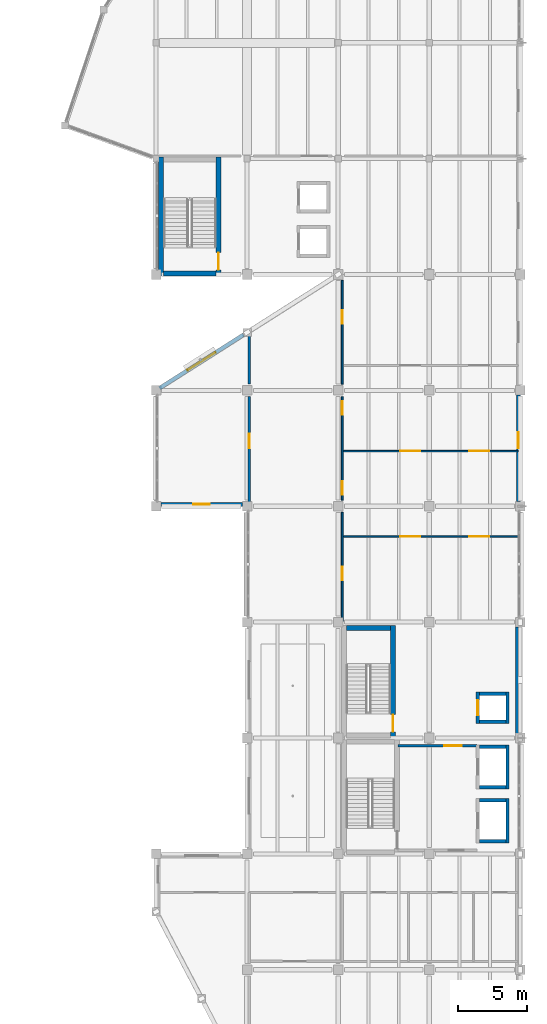
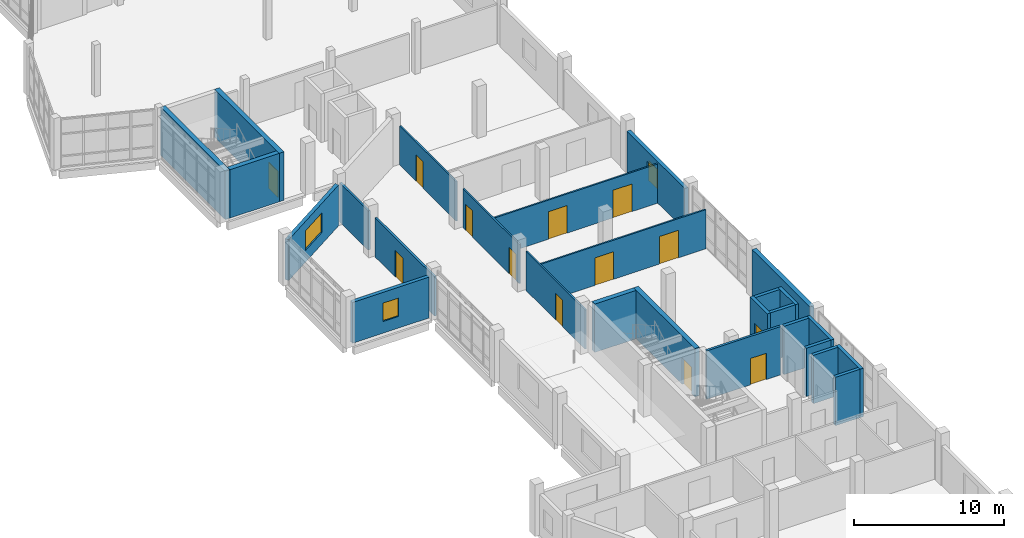
# One storey, part 53 of 74: 27 walls, 13 doors, 3 windows, 16 openings.
"""IFC4 building model written with IfcOpenShell, lengths in metres."""

from ifc_helpers import new_model, si_unit, direction, frame, frame_2d, origin, place, context, subcontext, project, spatial, rectangle, extrude, material, layer, layer_set, type_object, element, fill, save


model = new_model("IFC4")

# Units and contexts
model_context = context("Model", 3, precision=1e-05, world=origin(), true_north=direction((0.0, 1.0)))
body_context = subcontext(model_context, "Body", "Model", "MODEL_VIEW")
ifc_project = project(units=[si_unit("LENGTHUNIT", "METRE"), si_unit("AREAUNIT", "SQUARE_METRE"), si_unit("VOLUMEUNIT", "CUBIC_METRE"), si_unit("PLANEANGLEUNIT", "RADIAN"), si_unit("MASSUNIT", "GRAM", prefix="KILO")], contexts=[model_context])

# Site, building, storey
site_placement = place(None, origin())
site = spatial("IfcSite", under=ifc_project, at=site_placement, CompositionType="ELEMENT")
building_placement = place(site_placement, origin())
building = spatial("IfcBuilding", under=site, at=building_placement, Name="Qaldarim Faculty of Natural and Applied Sciences", CompositionType="ELEMENT")
storey_placement = place(building_placement, frame((0.0, 0.0, 14.39990234375)))
storey = spatial("IfcBuildingStorey", under=building, at=storey_placement, Name="L03", CompositionType="ELEMENT", Elevation=14.39990234375)

# Wall, opening, door
ifc_material_1 = material(Name="Painted gypsum partition board")
ifc_layer_1 = layer(ifc_material_1, 0.1201171875)
ifc_layer_set_1 = layer_set([ifc_layer_1], Name="Painted gypsum partition board")
wall_type_1 = type_object("IfcWallType", Name="AcousticPartition-120", PredefinedType="PARTITIONING", material=ifc_layer_set_1)
wall_1_placement = place(storey_placement, frame((165.300048828125, 33.64990234375, 0.0), z_axis=(0.0, 0.0, 1.0), x_axis=(0.0, 1.0, 0.0)))
wall_1 = element("IfcWall", 1, at=wall_1_placement, inside=storey, type_object=wall_type_1, Name="Interior partition PRT-L03-V5-OFFW-S1", PredefinedType="PARTITIONING", context=body_context, shape_type="SweptSolid", body=[
    extrude(rectangle(XDim=7.900146484375, YDim=0.1201171875, at=frame_2d((3.9501953125, 0.0))), origin(), (0.0, 0.0, 1.0), 3.190185546875),
])
opening_1_placement = place(wall_1_placement, frame((3.0, 0.0, 0.0)))
opening_1 = element("IfcOpeningElement", 2, at=opening_1_placement, cuts=wall_1, Name="Opening ID01", PredefinedType="OPENING", context=body_context, shape_type="SweptSolid", body=[
    extrude(rectangle(XDim=0.949951171875, YDim=2.14990234375, at=frame_2d((0.47509765625, 1.074951171875))), frame((0.0, 0.070068359375, 0.0), z_axis=(0.0, -1.0, 0.0), x_axis=(1.0, 0.0, 0.0)), (0.0, 0.0, 1.0), 0.14013671875),
])
ifc_material_2 = material(Name="Oak hardwood", Category="wood")
door_type_1 = type_object("IfcDoorType", Name="SingleRoomDoor-950x2150", OperationType="NOTDEFINED", PredefinedType="DOOR", material=ifc_material_2)
door_1_placement = place(opening_1_placement, origin())
door_1 = element("IfcDoor", 3, at=door_1_placement, inside=storey, type_object=door_type_1, Name="Interior door D-L03-239", OperationType="SINGLE_SWING_LEFT", OverallHeight=2.14990234375, OverallWidth=0.949951171875, PredefinedType="DOOR", context=body_context, shape_type="SweptSolid", body=[
    extrude(rectangle(XDim=0.949951171875, YDim=2.14990234375, at=frame_2d((0.47509765625, 1.074951171875))), frame((0.0, 0.02490234375, 0.0), z_axis=(0.0, -1.0, 0.0), x_axis=(1.0, 0.0, 0.0)), (0.0, 0.0, 1.0), 0.050048828125),
])
fill(opening_1, door_1)

# Wall, openings, doors
wall_2_placement = place(storey_placement, frame((165.300048828125, 42.449951171875, 0.0), z_axis=(0.0, 0.0, 1.0), x_axis=(0.0, 1.0, 0.0)))
wall_2 = element("IfcWall", 4, at=wall_2_placement, inside=storey, type_object=wall_type_1, Name="Interior partition PRT-L03-V5-OFFW-S2", PredefinedType="PARTITIONING", context=body_context, shape_type="SweptSolid", body=[
    extrude(rectangle(XDim=7.5, YDim=0.1201171875, at=frame_2d((3.75, 0.0))), origin(), (0.0, 0.0, 1.0), 3.190185546875),
])
opening_2_placement = place(wall_2_placement, frame((0.39990234375, 0.0, 0.0)))
opening_2 = element("IfcOpeningElement", 5, at=opening_2_placement, cuts=wall_2, Name="Opening ID01", PredefinedType="OPENING", context=body_context, shape_type="SweptSolid", body=[
    extrude(rectangle(XDim=0.949951171875, YDim=2.14990234375, at=frame_2d((0.47509765625, 1.074951171875))), frame((0.0, 0.070068359375, 0.0), z_axis=(0.0, -1.0, 0.0), x_axis=(1.0, 0.0, 0.0)), (0.0, 0.0, 1.0), 0.14013671875),
])
opening_3_placement = place(wall_2_placement, frame((6.199951171875, 0.0, 0.0)))
opening_3 = element("IfcOpeningElement", 6, at=opening_3_placement, cuts=wall_2, Name="Opening ID01", PredefinedType="OPENING", context=body_context, shape_type="SweptSolid", body=[
    extrude(rectangle(XDim=0.949951171875, YDim=2.14990234375, at=frame_2d((0.47509765625, 1.074951171875))), frame((0.0, 0.070068359375, 0.0), z_axis=(0.0, -1.0, 0.0), x_axis=(1.0, 0.0, 0.0)), (0.0, 0.0, 1.0), 0.14013671875),
])
door_2_placement = place(opening_2_placement, origin())
door_2 = element("IfcDoor", 7, at=door_2_placement, inside=storey, type_object=door_type_1, Name="Interior door D-L03-240", OperationType="SINGLE_SWING_RIGHT", OverallHeight=2.14990234375, OverallWidth=0.949951171875, PredefinedType="DOOR", context=body_context, shape_type="SweptSolid", body=[
    extrude(rectangle(XDim=0.949951171875, YDim=2.14990234375, at=frame_2d((0.47509765625, 1.074951171875))), frame((0.0, 0.02490234375, 0.0), z_axis=(0.0, -1.0, 0.0), x_axis=(1.0, 0.0, 0.0)), (0.0, 0.0, 1.0), 0.050048828125),
])
fill(opening_2, door_2)
door_3_placement = place(opening_3_placement, origin())
door_3 = element("IfcDoor", 8, at=door_3_placement, inside=storey, type_object=door_type_1, Name="Interior door D-L03-241", OperationType="SINGLE_SWING_LEFT", OverallHeight=2.14990234375, OverallWidth=0.949951171875, PredefinedType="DOOR", context=body_context, shape_type="SweptSolid", body=[
    extrude(rectangle(XDim=0.949951171875, YDim=2.14990234375, at=frame_2d((0.47509765625, 1.074951171875))), frame((0.0, 0.02490234375, 0.0), z_axis=(0.0, -1.0, 0.0), x_axis=(1.0, 0.0, 0.0)), (0.0, 0.0, 1.0), 0.050048828125),
])
fill(opening_3, door_3)

# Wall, opening, door
wall_3_placement = place(storey_placement, frame((165.300048828125, 50.85009765625, 0.0), z_axis=(0.0, 0.0, 1.0), x_axis=(0.0, 1.0, 0.0)))
wall_3 = element("IfcWall", 9, at=wall_3_placement, inside=storey, type_object=wall_type_1, Name="Interior partition PRT-L03-V5-OFFW-S3", PredefinedType="PARTITIONING", context=body_context, shape_type="SweptSolid", body=[
    extrude(rectangle(XDim=7.52978515625, YDim=0.1201171875, at=frame_2d((3.764892578125, 0.0))), origin(), (0.0, 0.0, 1.0), 3.190185546875),
])
opening_4_placement = place(wall_3_placement, frame((4.39990234375, 0.0, 0.0)))
opening_4 = element("IfcOpeningElement", 10, at=opening_4_placement, cuts=wall_3, Name="Opening ID01", PredefinedType="OPENING", context=body_context, shape_type="SweptSolid", body=[
    extrude(rectangle(XDim=0.949951171875, YDim=2.14990234375, at=frame_2d((0.47509765625, 1.074951171875))), frame((0.0, 0.070068359375, 0.0), z_axis=(0.0, -1.0, 0.0), x_axis=(1.0, 0.0, 0.0)), (0.0, 0.0, 1.0), 0.14013671875),
])
door_4_placement = place(opening_4_placement, origin())
door_4 = element("IfcDoor", 11, at=door_4_placement, inside=storey, type_object=door_type_1, Name="Interior door D-L03-242", OperationType="SINGLE_SWING_RIGHT", OverallHeight=2.14990234375, OverallWidth=0.949951171875, PredefinedType="DOOR", context=body_context, shape_type="SweptSolid", body=[
    extrude(rectangle(XDim=0.949951171875, YDim=2.14990234375, at=frame_2d((0.47509765625, 1.074951171875))), frame((0.0, 0.02490234375, 0.0), z_axis=(0.0, -1.0, 0.0), x_axis=(1.0, 0.0, 0.0)), (0.0, 0.0, 1.0), 0.050048828125),
])
fill(opening_4, door_4)

# Wall, openings, doors
wall_4_placement = place(storey_placement, frame((165.300048828125, 39.800048828125, 0.0), z_axis=(0.0, 0.0, 1.0), x_axis=(1.0, 0.0, 0.0)))
wall_4 = element("IfcWall", 12, at=wall_4_placement, inside=storey, type_object=wall_type_1, Name="Interior partition PRT-L03-V5-SUB-1", PredefinedType="PARTITIONING", context=body_context, shape_type="SweptSolid", body=[
    extrude(rectangle(XDim=12.75, YDim=0.1201171875, at=frame_2d((6.375, 0.0))), origin(), (0.0, 0.0, 1.0), 3.190185546875),
])
opening_5_placement = place(wall_4_placement, frame((4.199951171875, 0.0, 0.0)))
opening_5 = element("IfcOpeningElement", 13, at=opening_5_placement, cuts=wall_4, Name="Opening ID11", PredefinedType="OPENING", context=body_context, shape_type="SweptSolid", body=[
    extrude(rectangle(XDim=1.449951171875, YDim=2.25, at=frame_2d((0.72509765625, 1.125))), frame((0.0, 0.070068359375, 0.0), z_axis=(0.0, -1.0, 0.0), x_axis=(1.0, 0.0, 0.0)), (0.0, 0.0, 1.0), 0.14013671875),
])
opening_6_placement = place(wall_4_placement, frame((9.199951171875, 0.0, 0.0)))
opening_6 = element("IfcOpeningElement", 14, at=opening_6_placement, cuts=wall_4, Name="Opening ID11", PredefinedType="OPENING", context=body_context, shape_type="SweptSolid", body=[
    extrude(rectangle(XDim=1.449951171875, YDim=2.25, at=frame_2d((0.72509765625, 1.125))), frame((0.0, 0.070068359375, 0.0), z_axis=(0.0, -1.0, 0.0), x_axis=(1.0, 0.0, 0.0)), (0.0, 0.0, 1.0), 0.14013671875),
])
ifc_material_3 = material(Name="Architectural stainless steel 316", Category="steel")
door_type_2 = type_object("IfcDoorType", Name="InstrumentSuiteDoor-1450x2250", OperationType="NOTDEFINED", PredefinedType="DOOR", material=ifc_material_3)
door_5_placement = place(opening_5_placement, origin())
door_5 = element("IfcDoor", 15, at=door_5_placement, inside=storey, type_object=door_type_2, Name="Interior door D-L03-329", OperationType="SINGLE_SWING_LEFT", OverallHeight=2.25, OverallWidth=1.449951171875, PredefinedType="DOOR", context=body_context, shape_type="SweptSolid", body=[
    extrude(rectangle(XDim=1.449951171875, YDim=2.25, at=frame_2d((0.72509765625, 1.125))), frame((0.0, 0.02490234375, 0.0), z_axis=(0.0, -1.0, 0.0), x_axis=(1.0, 0.0, 0.0)), (0.0, 0.0, 1.0), 0.050048828125),
])
fill(opening_5, door_5)
door_6_placement = place(opening_6_placement, origin())
door_6 = element("IfcDoor", 16, at=door_6_placement, inside=storey, type_object=door_type_2, Name="Interior door D-L03-330", OperationType="SINGLE_SWING_RIGHT", OverallHeight=2.25, OverallWidth=1.449951171875, PredefinedType="DOOR", context=body_context, shape_type="SweptSolid", body=[
    extrude(rectangle(XDim=1.449951171875, YDim=2.25, at=frame_2d((0.72509765625, 1.125))), frame((0.0, 0.02490234375, 0.0), z_axis=(0.0, -1.0, 0.0), x_axis=(1.0, 0.0, 0.0)), (0.0, 0.0, 1.0), 0.050048828125),
])
fill(opening_6, door_6)

wall_5_placement = place(storey_placement, frame((165.300048828125, 46.0, 0.0), z_axis=(0.0, 0.0, 1.0), x_axis=(1.0, 0.0, 0.0)))
wall_5 = element("IfcWall", 17, at=wall_5_placement, inside=storey, type_object=wall_type_1, Name="Interior partition PRT-L03-V5-SUB-2", PredefinedType="PARTITIONING", context=body_context, shape_type="SweptSolid", body=[
    extrude(rectangle(XDim=12.75, YDim=0.1201171875, at=frame_2d((6.375, 0.0))), origin(), (0.0, 0.0, 1.0), 3.190185546875),
])
opening_7_placement = place(wall_5_placement, frame((4.199951171875, 0.0, 0.0)))
opening_7 = element("IfcOpeningElement", 18, at=opening_7_placement, cuts=wall_5, Name="Opening ID11", PredefinedType="OPENING", context=body_context, shape_type="SweptSolid", body=[
    extrude(rectangle(XDim=1.449951171875, YDim=2.25, at=frame_2d((0.72509765625, 1.125))), frame((0.0, 0.070068359375, 0.0), z_axis=(0.0, -1.0, 0.0), x_axis=(1.0, 0.0, 0.0)), (0.0, 0.0, 1.0), 0.14013671875),
])
opening_8_placement = place(wall_5_placement, frame((9.199951171875, 0.0, 0.0)))
opening_8 = element("IfcOpeningElement", 19, at=opening_8_placement, cuts=wall_5, Name="Opening ID11", PredefinedType="OPENING", context=body_context, shape_type="SweptSolid", body=[
    extrude(rectangle(XDim=1.449951171875, YDim=2.25, at=frame_2d((0.72509765625, 1.125))), frame((0.0, 0.070068359375, 0.0), z_axis=(0.0, -1.0, 0.0), x_axis=(1.0, 0.0, 0.0)), (0.0, 0.0, 1.0), 0.14013671875),
])
door_7_placement = place(opening_7_placement, origin())
door_7 = element("IfcDoor", 20, at=door_7_placement, inside=storey, type_object=door_type_2, Name="Interior door D-L03-331", OperationType="SINGLE_SWING_LEFT", OverallHeight=2.25, OverallWidth=1.449951171875, PredefinedType="DOOR", context=body_context, shape_type="SweptSolid", body=[
    extrude(rectangle(XDim=1.449951171875, YDim=2.25, at=frame_2d((0.72509765625, 1.125))), frame((0.0, 0.02490234375, 0.0), z_axis=(0.0, -1.0, 0.0), x_axis=(1.0, 0.0, 0.0)), (0.0, 0.0, 1.0), 0.050048828125),
])
fill(opening_7, door_7)
door_8_placement = place(opening_8_placement, origin())
door_8 = element("IfcDoor", 21, at=door_8_placement, inside=storey, type_object=door_type_2, Name="Interior door D-L03-332", OperationType="SINGLE_SWING_RIGHT", OverallHeight=2.25, OverallWidth=1.449951171875, PredefinedType="DOOR", context=body_context, shape_type="SweptSolid", body=[
    extrude(rectangle(XDim=1.449951171875, YDim=2.25, at=frame_2d((0.72509765625, 1.125))), frame((0.0, 0.02490234375, 0.0), z_axis=(0.0, -1.0, 0.0), x_axis=(1.0, 0.0, 0.0)), (0.0, 0.0, 1.0), 0.050048828125),
])
fill(opening_8, door_8)

# Wall, opening, door
ifc_material_4 = material(Name="Concrete C50/60", Category="concrete")
ifc_layer_2 = layer(ifc_material_4, 0.360107421875)
ifc_layer_set_2 = layer_set([ifc_layer_2], Name="Concrete C50/60")
wall_type_2 = type_object("IfcWallType", Name="CoreShearWall-360", PredefinedType="SHEAR", material=ifc_layer_set_2)
wall_6_placement = place(storey_placement, frame((168.97998046875, 25.18994140625, 0.0), z_axis=(0.0, 0.0, 1.0), x_axis=(0.0, 1.0, 0.0)))
wall_6 = element("IfcWall", 22, at=wall_6_placement, inside=storey, type_object=wall_type_2, Name="Core stair ST-A2 east shear wall L03", PredefinedType="SHEAR", context=body_context, shape_type="SweptSolid", body=[
    extrude(rectangle(XDim=8.170166015625, YDim=0.360107421875, at=frame_2d((4.0849609375, 0.0))), origin(), (0.0, 0.0, 1.0), 3.940185546875),
])
opening_9_placement = place(wall_6_placement, frame((0.449951171875, 0.0, 0.0)))
opening_9 = element("IfcOpeningElement", 23, at=opening_9_placement, cuts=wall_6, Name="Opening ID04", PredefinedType="OPENING", context=body_context, shape_type="SweptSolid", body=[
    extrude(rectangle(XDim=1.25, YDim=2.14990234375, at=frame_2d((0.625, 1.074951171875))), frame((0.0, 0.18994140625, 0.0), z_axis=(0.0, -1.0, 0.0), x_axis=(1.0, 0.0, 0.0)), (0.0, 0.0, 1.0), 0.380126953125),
])
door_type_3 = type_object("IfcDoorType", Name="StairEnclosureFireDoor-1250x2150", OperationType="NOTDEFINED", PredefinedType="DOOR", material=ifc_material_3)
door_9_placement = place(opening_9_placement, origin())
door_9 = element("IfcDoor", 24, at=door_9_placement, inside=storey, type_object=door_type_3, Name="Protected stair ST-A2 fire door D-L03-517", OperationType="SINGLE_SWING_LEFT", OverallHeight=2.14990234375, OverallWidth=1.25, PredefinedType="DOOR", context=body_context, shape_type="SweptSolid", body=[
    extrude(rectangle(XDim=1.25, YDim=2.14990234375, at=frame_2d((0.625, 1.074951171875))), frame((0.0, 0.02490234375, 0.0), z_axis=(0.0, -1.0, 0.0), x_axis=(1.0, 0.0, 0.0)), (0.0, 0.0, 1.0), 0.050048828125),
])
fill(opening_9, door_9)

# Walls
wall_7_placement = place(storey_placement, frame((165.60009765625, 33.179931640625, 0.0), z_axis=(0.0, 0.0, 1.0), x_axis=(1.0, 0.0, 0.0)))
element("IfcWall", 25, at=wall_7_placement, inside=storey, type_object=wall_type_2, Name="Core stair ST-A2 north shear wall L03", PredefinedType="SHEAR", context=body_context, shape_type="SweptSolid", body=[
    extrude(rectangle(XDim=3.199951171875, YDim=0.360107421875, at=frame_2d((1.60009765625, 0.0))), origin(), (0.0, 0.0, 1.0), 3.940185546875),
])
wall_8_placement = place(storey_placement, frame((152.169921875, 58.68994140625, 0.0), z_axis=(0.0, 0.0, 1.0), x_axis=(0.0, 1.0, 0.0)))
element("IfcWall", 26, at=wall_8_placement, inside=storey, type_object=wall_type_2, Name="Core stair ST-C1 west shear wall L03", PredefinedType="SHEAR", context=body_context, shape_type="SweptSolid", body=[
    extrude(rectangle(XDim=8.6201171875, YDim=0.360107421875, at=frame_2d((4.31005859375, 0.0))), origin(), (0.0, 0.0, 1.0), 3.940185546875),
])

# Wall, opening, door
wall_9_placement = place(storey_placement, frame((156.330078125, 58.68994140625, 0.0), z_axis=(0.0, 0.0, 1.0), x_axis=(0.0, 1.0, 0.0)))
wall_9 = element("IfcWall", 27, at=wall_9_placement, inside=storey, type_object=wall_type_2, Name="Core stair ST-C1 east shear wall L03", PredefinedType="SHEAR", context=body_context, shape_type="SweptSolid", body=[
    extrude(rectangle(XDim=8.6201171875, YDim=0.360107421875, at=frame_2d((4.31005859375, 0.0))), origin(), (0.0, 0.0, 1.0), 3.940185546875),
])
opening_10_placement = place(wall_9_placement, frame((0.449951171875, 0.0, 0.0)))
opening_10 = element("IfcOpeningElement", 28, at=opening_10_placement, cuts=wall_9, Name="Opening ID04", PredefinedType="OPENING", context=body_context, shape_type="SweptSolid", body=[
    extrude(rectangle(XDim=1.25, YDim=2.14990234375, at=frame_2d((0.625, 1.074951171875))), frame((0.0, 0.18994140625, 0.0), z_axis=(0.0, -1.0, 0.0), x_axis=(1.0, 0.0, 0.0)), (0.0, 0.0, 1.0), 0.380126953125),
])
door_10_placement = place(opening_10_placement, origin())
door_10 = element("IfcDoor", 29, at=door_10_placement, inside=storey, type_object=door_type_3, Name="Protected stair ST-C1 fire door D-L03-542", OperationType="SINGLE_SWING_LEFT", OverallHeight=2.14990234375, OverallWidth=1.25, PredefinedType="DOOR", context=body_context, shape_type="SweptSolid", body=[
    extrude(rectangle(XDim=1.25, YDim=2.14990234375, at=frame_2d((0.625, 1.074951171875))), frame((0.0, 0.02490234375, 0.0), z_axis=(0.0, -1.0, 0.0), x_axis=(1.0, 0.0, 0.0)), (0.0, 0.0, 1.0), 0.050048828125),
])
fill(opening_10, door_10)

# Wall
wall_10_placement = place(storey_placement, frame((152.35009765625, 58.8701171875, 0.0), z_axis=(0.0, 0.0, 1.0), x_axis=(1.0, 0.0, 0.0)))
element("IfcWall", 30, at=wall_10_placement, inside=storey, type_object=wall_type_2, Name="Core stair ST-C1 south shear wall L03", PredefinedType="SHEAR", context=body_context, shape_type="SweptSolid", body=[
    extrude(rectangle(XDim=3.7998046875, YDim=0.360107421875, at=frame_2d((1.89990234375, 0.0))), origin(), (0.0, 0.0, 1.0), 3.940185546875),
])

# Wall, opening, window
ifc_material_5 = material(Name="Precast concrete C40/50", Category="concrete")
ifc_layer_3 = layer(ifc_material_5, 0.280029296875)
ifc_layer_set_3 = layer_set([ifc_layer_3], Name="Precast concrete C40/50")
wall_type_3 = type_object("IfcWallType", Name="ExteriorSpandrelWall-280", PredefinedType="SOLIDWALL", material=ifc_layer_set_3)
wall_11_placement = place(storey_placement, frame((152.14501953125, 42.139892578125, 0.0), z_axis=(0.0, 0.0, 1.0), x_axis=(1.0, 0.0, 0.0)))
wall_11 = element("IfcWall", 31, at=wall_11_placement, inside=storey, type_object=wall_type_3, Name="Exterior wall EW02 L03 S X24Y06", PredefinedType="SOLIDWALL", context=body_context, shape_type="SweptSolid", body=[
    extrude(rectangle(XDim=5.909912109375, YDim=0.280029296875, at=frame_2d((2.955078125, 0.0))), origin(), (0.0, 0.0, 1.0), 3.3251953125),
])
opening_11_placement = place(wall_11_placement, frame((2.35498046875, 0.0, 0.949951171875)))
opening_11 = element("IfcOpeningElement", 32, at=opening_11_placement, cuts=wall_11, Name="Opening WN01", PredefinedType="OPENING", context=body_context, shape_type="SweptSolid", body=[
    extrude(rectangle(XDim=1.199951171875, YDim=1.5, at=frame_2d((0.60009765625, 0.75))), frame((0.0, 0.14990234375, 0.0), z_axis=(0.0, -1.0, 0.0), x_axis=(1.0, 0.0, 0.0)), (0.0, 0.0, 1.0), 0.300048828125),
])
ifc_material_6 = material(Name="Insulated low-e double glazing", Category="glass")
window_type_1 = type_object("IfcWindowType", Name="Window-1200x1500", PartitioningType="SINGLE_PANEL", PredefinedType="WINDOW", material=ifc_material_6)
window_1_placement = place(opening_11_placement, origin())
window_1 = element("IfcWindow", 33, at=window_1_placement, inside=storey, type_object=window_type_1, Name="Facade window WN01 L03 S X24Y06", OverallHeight=1.5, OverallWidth=1.199951171875, PartitioningType="SINGLE_PANEL", PredefinedType="WINDOW", context=body_context, shape_type="SweptSolid", body=[
    extrude(rectangle(XDim=1.199951171875, YDim=1.5, at=frame_2d((0.60009765625, 0.75))), frame((0.0, 0.030029296875, 0.0), z_axis=(0.0, -1.0, 0.0), x_axis=(1.0, 0.0, 0.0)), (0.0, 0.0, 1.0), 0.06005859375),
])
fill(opening_11, window_1)

wall_12_placement = place(storey_placement, frame((178.06005859375, 42.344970703125, 0.0), z_axis=(0.0, 0.0, 1.0), x_axis=(0.0, 1.0, 0.0)))
wall_12 = element("IfcWall", 34, at=wall_12_placement, inside=storey, type_object=wall_type_3, Name="Exterior wall EW02 L03 E X27Y06", PredefinedType="SOLIDWALL", context=body_context, shape_type="SweptSolid", body=[
    extrude(rectangle(XDim=7.7099609375, YDim=0.280029296875, at=frame_2d((3.85498046875, 0.0))), origin(), (0.0, 0.0, 1.0), 3.375),
])
opening_12_placement = place(wall_12_placement, frame((3.875, 0.0, 0.949951171875)))
opening_12 = element("IfcOpeningElement", 35, at=opening_12_placement, cuts=wall_12, Name="Opening WN31", PredefinedType="OPENING", context=body_context, shape_type="SweptSolid", body=[
    extrude(rectangle(XDim=1.14990234375, YDim=1.60009765625, at=frame_2d((0.574951171875, 0.800048828125))), frame((0.0, 0.14990234375, 0.0), z_axis=(0.0, -1.0, 0.0), x_axis=(1.0, 0.0, 0.0)), (0.0, 0.0, 1.0), 0.300048828125),
])
window_type_2 = type_object("IfcWindowType", Name="SeminarWindow-1150x1600", PartitioningType="SINGLE_PANEL", PredefinedType="WINDOW", material=ifc_material_6)
window_2_placement = place(opening_12_placement, origin())
window_2 = element("IfcWindow", 36, at=window_2_placement, inside=storey, type_object=window_type_2, Name="Facade window WN31 L03 E X27Y06", OverallHeight=1.60009765625, OverallWidth=1.14990234375, PartitioningType="SINGLE_PANEL", PredefinedType="WINDOW", context=body_context, shape_type="SweptSolid", body=[
    extrude(rectangle(XDim=1.14990234375, YDim=1.60009765625, at=frame_2d((0.574951171875, 0.800048828125))), frame((0.0, 0.030029296875, 0.0), z_axis=(0.0, -1.0, 0.0), x_axis=(1.0, 0.0, 0.0)), (0.0, 0.0, 1.0), 0.06005859375),
])
fill(opening_12, window_2)

wall_13_placement = place(storey_placement, frame((152.050048828125, 50.56005859375, 0.0), z_axis=(0.0, 0.0, 1.0), x_axis=(0.843776886751, 0.536694107835, 0.0)))
wall_13 = element("IfcWall", 37, at=wall_13_placement, inside=storey, type_object=wall_type_3, Name="Oblique NW chamfer fenestrated wall L03 1", PredefinedType="SOLIDWALL", context=body_context, shape_type="SweptSolid", body=[
    extrude(rectangle(XDim=7.229248046875, YDim=0.280029296875, at=frame_2d((3.61474609375, 0.0))), origin(), (0.0, 0.0, 1.0), 3.3251953125),
])
opening_13_placement = place(wall_13_placement, frame((2.4150390625, 0.0, 0.949951171875)))
opening_13 = element("IfcOpeningElement", 38, at=opening_13_placement, cuts=wall_13, Name="Opening WN03", PredefinedType="OPENING", context=body_context, shape_type="SweptSolid", body=[
    extrude(rectangle(XDim=2.39990234375, YDim=1.60009765625, at=frame_2d((1.199951171875, 0.800048828125))), frame((0.0, 0.14990234375, 0.0), z_axis=(0.0, -1.0, 0.0), x_axis=(1.0, 0.0, 0.0)), (0.0, 0.0, 1.0), 0.300048828125),
])
window_type_3 = type_object("IfcWindowType", Name="Window-2400x1600", PartitioningType="TRIPLE_PANEL_VERTICAL", PredefinedType="WINDOW", material=ifc_material_6)
window_3_placement = place(opening_13_placement, origin())
window_3 = element("IfcWindow", 39, at=window_3_placement, inside=storey, type_object=window_type_3, Name="Oblique NW chamfer window L03 1", OverallHeight=1.60009765625, OverallWidth=2.39990234375, PartitioningType="SINGLE_PANEL", PredefinedType="WINDOW", context=body_context, shape_type="SweptSolid", body=[
    extrude(rectangle(XDim=2.39990234375, YDim=1.60009765625, at=frame_2d((1.199951171875, 0.800048828125))), frame((0.0, 0.030029296875, 0.0), z_axis=(0.0, -1.0, 0.0), x_axis=(1.0, 0.0, 0.0)), (0.0, 0.0, 1.0), 0.06005859375),
])
fill(opening_13, window_3)

# Wall
ifc_layer_4 = layer(ifc_material_4, 0.340087890625)
ifc_layer_set_4 = layer_set([ifc_layer_4], Name="Concrete C50/60")
wall_type_4 = type_object("IfcWallType", Name="ExteriorStairShearWall-340", PredefinedType="SHEAR", material=ifc_layer_set_4)
wall_14_placement = place(storey_placement, frame((178.030029296875, 25.544921875, 0.0), z_axis=(0.0, 0.0, 1.0), x_axis=(0.0, 1.0, 0.0)))
element("IfcWall", 40, at=wall_14_placement, inside=storey, type_object=wall_type_4, Name="Exterior wall EW05 L03 E X27Y04", PredefinedType="SHEAR", context=body_context, shape_type="SweptSolid", body=[
    extrude(rectangle(XDim=7.7099609375, YDim=0.340087890625, at=frame_2d((3.85498046875, 0.0))), origin(), (0.0, 0.0, 1.0), 3.940185546875),
])

# Wall, opening, door
ifc_material_7 = material(Name="Concrete C40/50", Category="concrete")
ifc_layer_5 = layer(ifc_material_7, 0.159912109375)
ifc_layer_set_5 = layer_set([ifc_layer_5], Name="Concrete C40/50")
wall_type_5 = type_object("IfcWallType", Name="FireCorridorWall-160", PredefinedType="PARTITIONING", material=ifc_layer_set_5)
wall_15_placement = place(storey_placement, frame((158.550048828125, 42.0, 0.0), z_axis=(0.0, 0.0, 1.0), x_axis=(0.0, 1.0, 0.0)))
wall_15 = element("IfcWall", 41, at=wall_15_placement, inside=storey, type_object=wall_type_5, Name="Interior partition PRT-L03-V5-NWSE-S1", PredefinedType="PARTITIONING", context=body_context, shape_type="SweptSolid", body=[
    extrude(rectangle(XDim=7.949951171875, YDim=0.159912109375, at=frame_2d((3.97509765625, 0.0))), origin(), (0.0, 0.0, 1.0), 3.190185546875),
])
opening_14_placement = place(wall_15_placement, frame((4.199951171875, 0.0, 0.0)))
opening_14 = element("IfcOpeningElement", 42, at=opening_14_placement, cuts=wall_15, Name="Opening ID02", PredefinedType="OPENING", context=body_context, shape_type="SweptSolid", body=[
    extrude(rectangle(XDim=1.050048828125, YDim=2.14990234375, at=frame_2d((0.52490234375, 1.074951171875))), frame((0.0, 0.08984375, 0.0), z_axis=(0.0, -1.0, 0.0), x_axis=(1.0, 0.0, 0.0)), (0.0, 0.0, 1.0), 0.179931640625),
])
door_type_4 = type_object("IfcDoorType", Name="AccessibleRoomDoor-1050x2150", OperationType="NOTDEFINED", PredefinedType="DOOR", material=ifc_material_2)
door_11_placement = place(opening_14_placement, origin())
door_11 = element("IfcDoor", 43, at=door_11_placement, inside=storey, type_object=door_type_4, Name="Interior door D-L03-397", OperationType="SINGLE_SWING_LEFT", OverallHeight=2.14990234375, OverallWidth=1.050048828125, PredefinedType="DOOR", context=body_context, shape_type="SweptSolid", body=[
    extrude(rectangle(XDim=1.050048828125, YDim=2.14990234375, at=frame_2d((0.52490234375, 1.074951171875))), frame((0.0, 0.02490234375, 0.0), z_axis=(0.0, -1.0, 0.0), x_axis=(1.0, 0.0, 0.0)), (0.0, 0.0, 1.0), 0.050048828125),
])
fill(opening_14, door_11)

# Wall
wall_16_placement = place(storey_placement, frame((158.550048828125, 50.85009765625, 0.0), z_axis=(0.0, 0.0, 1.0), x_axis=(0.0, 1.0, 0.0)))
element("IfcWall", 44, at=wall_16_placement, inside=storey, type_object=wall_type_5, Name="Interior partition PRT-L03-V5-NWSE-S2", PredefinedType="PARTITIONING", context=body_context, shape_type="SweptSolid", body=[
    extrude(rectangle(XDim=3.7998046875, YDim=0.159912109375, at=frame_2d((1.89990234375, 0.0))), origin(), (0.0, 0.0, 1.0), 3.190185546875),
])

# Wall, opening, door
ifc_layer_6 = layer(ifc_material_7, 0.179931640625)
ifc_layer_set_6 = layer_set([ifc_layer_6], Name="Concrete C40/50")
wall_type_6 = type_object("IfcWallType", Name="LabFireCompartmentWall-180", PredefinedType="SOLIDWALL", material=ifc_layer_set_6)
wall_17_placement = place(storey_placement, frame((169.35009765625, 24.639892578125, 0.0), z_axis=(0.0, 0.0, 1.0), x_axis=(1.0, 0.0, 0.0)))
wall_17 = element("IfcWall", 45, at=wall_17_placement, inside=storey, type_object=wall_type_6, Name="Fire-fighting lobby compartment wall Core A L03", PredefinedType="SOLIDWALL", context=body_context, shape_type="SweptSolid", body=[
    extrude(rectangle(XDim=5.699951171875, YDim=0.179931640625, at=frame_2d((2.85009765625, 0.0))), origin(), (0.0, 0.0, 1.0), 3.940185546875),
])
opening_15_placement = place(wall_17_placement, frame((3.35009765625, 0.0, 0.0)))
opening_15 = element("IfcOpeningElement", 46, at=opening_15_placement, cuts=wall_17, Name="Opening ID04", PredefinedType="OPENING", context=body_context, shape_type="SweptSolid", body=[
    extrude(rectangle(XDim=1.25, YDim=2.14990234375, at=frame_2d((0.625, 1.074951171875))), frame((0.0, 0.099853515625, 0.0), z_axis=(0.0, -1.0, 0.0), x_axis=(1.0, 0.0, 0.0)), (0.0, 0.0, 1.0), 0.199951171875),
])
door_12_placement = place(opening_15_placement, frame((1.25, 0.0, 0.0), z_axis=(0.0, 0.0, 1.0), x_axis=(-1.0, 0.0, 0.0)))
door_12 = element("IfcDoor", 47, at=door_12_placement, inside=storey, type_object=door_type_3, Name="Fire-fighting lobby door Core A D-L03-604", OperationType="SINGLE_SWING_RIGHT", OverallHeight=2.14990234375, OverallWidth=1.25, PredefinedType="DOOR", context=body_context, shape_type="SweptSolid", body=[
    extrude(rectangle(XDim=1.25, YDim=2.14990234375, at=frame_2d((0.625, 1.074951171875))), frame((0.0, 0.02490234375, 0.0), z_axis=(0.0, -1.0, 0.0), x_axis=(1.0, 0.0, 0.0)), (0.0, 0.0, 1.0), 0.050048828125),
])
fill(opening_15, door_12)

# Walls
ifc_layer_7 = layer(ifc_material_7, 0.25)
ifc_layer_set_7 = layer_set([ifc_layer_7], Name="Concrete C40/50")
wall_type_7 = type_object("IfcWallType", Name="LiftShaftWall-250", PredefinedType="SHEAR", material=ifc_layer_set_7)
wall_18_placement = place(storey_placement, frame((177.27490234375, 17.60009765625, 0.0), z_axis=(0.0, 0.0, 1.0), x_axis=(0.0, 1.0, 0.0)))
element("IfcWall", 48, at=wall_18_placement, inside=storey, type_object=wall_type_7, Name="Lift LF-A1 rear shaft wall L03", PredefinedType="SHEAR", context=body_context, shape_type="SweptSolid", body=[
    extrude(rectangle(XDim=3.199951171875, YDim=0.25, at=frame_2d((1.60009765625, 0.0))), origin(), (0.0, 0.0, 1.0), 3.940185546875),
])
for number, where, z_axis, x_axis, name in (
    (49, (175.25, 17.72509765625, 0.0), (0.0, 0.0, 1.0), (1.0, 0.0, 0.0), "Lift LF-A1 south shaft wall L03"),
    (50, (175.25, 20.675048828125, 0.0), (0.0, 0.0, 1.0), (1.0, 0.0, 0.0), "Lift LF-A1 north shaft wall L03"),
):
    element("IfcWall", number, at=place(storey_placement, frame(where, z_axis=z_axis, x_axis=x_axis)), inside=storey, type_object=wall_type_7, Name=name, PredefinedType="SHEAR", context=body_context, shape_type="SweptSolid", body=[
        extrude(rectangle(XDim=1.89990234375, YDim=0.25, at=frame_2d((0.949951171875, 0.0))), origin(), (0.0, 0.0, 1.0), 3.940185546875),
    ])
wall_19_placement = place(storey_placement, frame((177.27490234375, 21.5, 0.0), z_axis=(0.0, 0.0, 1.0), x_axis=(0.0, 1.0, 0.0)))
element("IfcWall", 51, at=wall_19_placement, inside=storey, type_object=wall_type_7, Name="Lift LF-A2 rear shaft wall L03", PredefinedType="SHEAR", context=body_context, shape_type="SweptSolid", body=[
    extrude(rectangle(XDim=3.199951171875, YDim=0.25, at=frame_2d((1.60009765625, 0.0))), origin(), (0.0, 0.0, 1.0), 3.940185546875),
])
for number, where, z_axis, x_axis, name in (
    (52, (175.25, 21.625, 0.0), (0.0, 0.0, 1.0), (1.0, 0.0, 0.0), "Lift LF-A2 south shaft wall L03"),
    (53, (175.25, 24.574951171875, 0.0), (0.0, 0.0, 1.0), (1.0, 0.0, 0.0), "Lift LF-A2 north shaft wall L03"),
):
    element("IfcWall", number, at=place(storey_placement, frame(where, z_axis=z_axis, x_axis=x_axis)), inside=storey, type_object=wall_type_7, Name=name, PredefinedType="SHEAR", context=body_context, shape_type="SweptSolid", body=[
        extrude(rectangle(XDim=1.89990234375, YDim=0.25, at=frame_2d((0.949951171875, 0.0))), origin(), (0.0, 0.0, 1.0), 3.940185546875),
    ])

# Wall, opening, door
wall_20_placement = place(storey_placement, frame((175.125, 26.25, 0.0), z_axis=(0.0, 0.0, 1.0), x_axis=(0.0, 1.0, 0.0)))
wall_20 = element("IfcWall", 54, at=wall_20_placement, inside=storey, type_object=wall_type_7, Name="Lift LF-A3 front shaft wall L03", PredefinedType="SHEAR", context=body_context, shape_type="SweptSolid", body=[
    extrude(rectangle(XDim=2.300048828125, YDim=0.25, at=frame_2d((1.14990234375, 0.0))), origin(), (0.0, 0.0, 1.0), 3.940185546875),
])
opening_16_placement = place(wall_20_placement, frame((0.60009765625, 0.0, 0.0)))
opening_16 = element("IfcOpeningElement", 55, at=opening_16_placement, cuts=wall_20, Name="Opening LD01", PredefinedType="OPENING", context=body_context, shape_type="SweptSolid", body=[
    extrude(rectangle(XDim=1.10009765625, YDim=2.14990234375, at=frame_2d((0.550048828125, 1.074951171875))), frame((0.0, 0.135009765625, 0.0), z_axis=(0.0, -1.0, 0.0), x_axis=(1.0, 0.0, 0.0)), (0.0, 0.0, 1.0), 0.27001953125),
])
door_type_5 = type_object("IfcDoorType", Name="LiftLandingSlidingDoor-1100x2150", OperationType="NOTDEFINED", PredefinedType="DOOR", material=ifc_material_3)
door_13_placement = place(opening_16_placement, origin())
door_13 = element("IfcDoor", 56, at=door_13_placement, inside=storey, type_object=door_type_5, Name="Lift landing sliding door LF-A3 D-L03-587", OperationType="SLIDING_TO_LEFT", OverallHeight=2.14990234375, OverallWidth=1.10009765625, PredefinedType="DOOR", context=body_context, shape_type="SweptSolid", body=[
    extrude(rectangle(XDim=1.10009765625, YDim=2.14990234375, at=frame_2d((0.550048828125, 1.074951171875))), frame((0.0, 0.02490234375, 0.0), z_axis=(0.0, -1.0, 0.0), x_axis=(1.0, 0.0, 0.0)), (0.0, 0.0, 1.0), 0.050048828125),
])
fill(opening_16, door_13)

# Walls
wall_21_placement = place(storey_placement, frame((177.27490234375, 26.25, 0.0), z_axis=(0.0, 0.0, 1.0), x_axis=(0.0, 1.0, 0.0)))
element("IfcWall", 57, at=wall_21_placement, inside=storey, type_object=wall_type_7, Name="Lift LF-A3 rear shaft wall L03", PredefinedType="SHEAR", context=body_context, shape_type="SweptSolid", body=[
    extrude(rectangle(XDim=2.300048828125, YDim=0.25, at=frame_2d((1.14990234375, 0.0))), origin(), (0.0, 0.0, 1.0), 3.940185546875),
])
for number, where, z_axis, x_axis, name in (
    (58, (175.25, 26.375, 0.0), (0.0, 0.0, 1.0), (1.0, 0.0, 0.0), "Lift LF-A3 south shaft wall L03"),
    (59, (175.25, 28.425048828125, 0.0), (0.0, 0.0, 1.0), (1.0, 0.0, 0.0), "Lift LF-A3 north shaft wall L03"),
):
    element("IfcWall", number, at=place(storey_placement, frame(where, z_axis=z_axis, x_axis=x_axis)), inside=storey, type_object=wall_type_7, Name=name, PredefinedType="SHEAR", context=body_context, shape_type="SweptSolid", body=[
        extrude(rectangle(XDim=1.89990234375, YDim=0.25, at=frame_2d((0.949951171875, 0.0))), origin(), (0.0, 0.0, 1.0), 3.940185546875),
    ])

save(model, "model.ifc")
